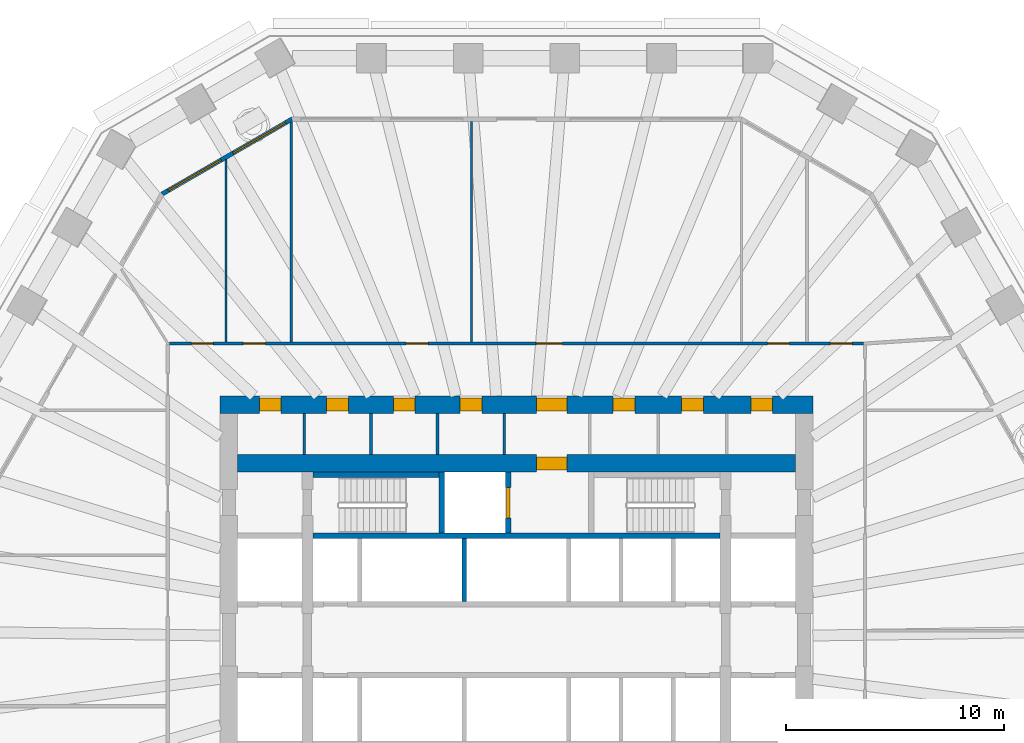
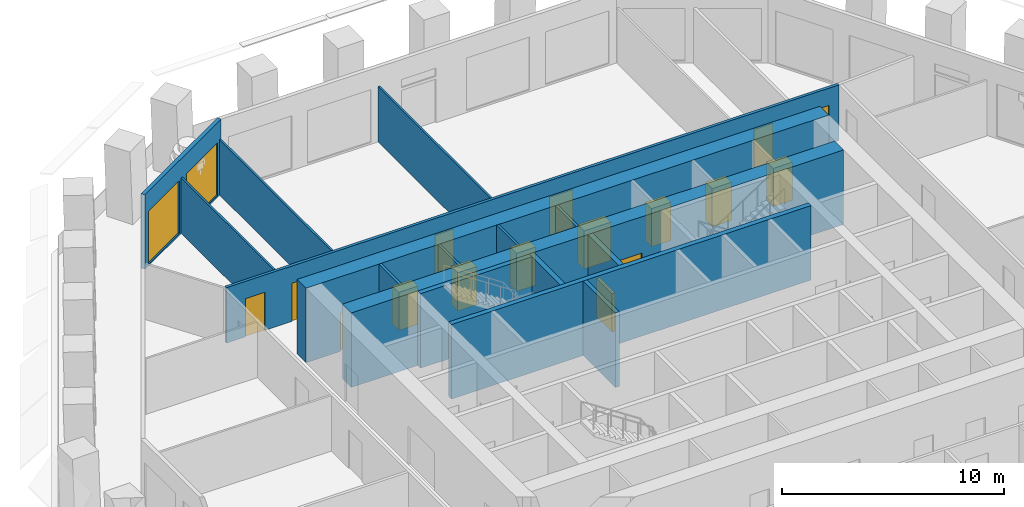
# One storey, part 7 of 13: 16 doors, 16 walls, 2 windows, 18 openings.
"""IFC4 building model written with IfcOpenShell, lengths in metres."""

from ifc_helpers import new_model, si_unit, direction, frame, frame_2d, origin, place, context, subcontext, project, spatial, polyline, rectangle, outline, extrude, material, layer, layer_set, type_object, element, fill, save


model = new_model("IFC4")

# Units and contexts
model_context = context("Model", 3, precision=1e-05, world=origin(), true_north=direction((0.0, 1.0)))
body_context = subcontext(model_context, "Body", "Model", "MODEL_VIEW")
ifc_project = project(units=[si_unit("LENGTHUNIT", "METRE"), si_unit("AREAUNIT", "SQUARE_METRE"), si_unit("VOLUMEUNIT", "CUBIC_METRE"), si_unit("PLANEANGLEUNIT", "RADIAN"), si_unit("MASSUNIT", "GRAM", prefix="KILO")], contexts=[model_context])

# Site, building, storey
site_placement = place(None, origin())
site = spatial("IfcSite", under=ifc_project, at=site_placement, CompositionType="ELEMENT")
building_placement = place(site_placement, origin())
building = spatial("IfcBuilding", under=site, at=building_placement, Name="Frailejon Research Tower", CompositionType="ELEMENT")
storey_placement = place(building_placement, frame((0.0, 0.0, 94.0)))
storey = spatial("IfcBuildingStorey", under=building, at=storey_placement, Name="L20", CompositionType="ELEMENT", Elevation=94.0)

# Walls
ifc_material_1 = material(Name="Plasterboard on steel studs", Category="steel")
ifc_layer_1 = layer(ifc_material_1, 0.125)
ifc_layer_set_1 = layer_set([ifc_layer_1], Name="Core partition 125")
wall_type_1 = type_object("IfcWallType", Name="Core partition 125", PredefinedType="PARTITIONING", material=ifc_layer_set_1)
for number, where, z_axis, x_axis, name in (
    (1, (-9.740478515625, 8.5, 0.0), (0.0, 0.0, 1.0), (0.0, 1.0, 0.0), "Core partition"),
    (2, (-6.68115234375, 8.5, 0.0), (0.0, 0.0, 1.0), (0.0, 1.0, 0.0), "Core partition"),
    (3, (-3.621826171875, 8.5, 0.0), (0.0, 0.0, 1.0), (0.0, 1.0, 0.0), "Core partition"),
    (4, (-0.5625, 8.5, 0.0), (0.0, 0.0, 1.0), (0.0, 1.0, 0.0), "Core partition"),
):
    element("IfcWall", number, at=place(storey_placement, frame(where, z_axis=z_axis, x_axis=x_axis)), inside=storey, type_object=wall_type_1, Name=name, PredefinedType="PARTITIONING", context=body_context, shape_type="SweptSolid", body=[
        extrude(rectangle(XDim=1.89990234375, YDim=0.125, at=frame_2d((0.949951171875, 0.0))), origin(), (0.0, 0.0, 1.0), 4.10009765625),
    ])

# Wall, openings, doors
ifc_material_2 = material(Name="Concrete C70/85", Category="concrete")
ifc_layer_2 = layer(ifc_material_2, 0.800048828125)
ifc_layer_set_2 = layer_set([ifc_layer_2], Name="Core shear wall 800 C70/85")
wall_type_2 = type_object("IfcWallType", Name="Core shear wall 800 C70/85", PredefinedType="SHEAR", material=ifc_layer_set_2)
wall_1_placement = place(storey_placement, frame((-13.60009765625, 10.800048828125, 0.0), z_axis=(0.0, 0.0, 1.0), x_axis=(1.0, 0.0, 0.0)))
wall_1 = element("IfcWall", 5, at=wall_1_placement, inside=storey, type_object=wall_type_2, Name="Core shear wall", PredefinedType="SHEAR", context=body_context, shape_type="SweptSolid", body=[
    extrude(rectangle(XDim=27.2001953125, YDim=0.800048828125, at=frame_2d((13.60009765625, 0.0))), origin(), (0.0, 0.0, 1.0), 4.10009765625),
])
opening_1_placement = place(wall_1_placement, frame((1.79833984375, 0.0, 0.0)))
opening_1 = element("IfcOpeningElement", 6, at=opening_1_placement, cuts=wall_1, Name="Opening D4", PredefinedType="OPENING", context=body_context, shape_type="SweptSolid", body=[
    extrude(rectangle(XDim=1.0, YDim=2.10009765625, at=frame_2d((0.5, 1.050048828125))), frame((0.0, 0.409912109375, 0.0), z_axis=(0.0, -1.0, 0.0), x_axis=(1.0, 0.0, 0.0)), (0.0, 0.0, 1.0), 0.820068359375),
])
opening_2_placement = place(wall_1_placement, frame((4.88916015625, 0.0, 0.0)))
opening_2 = element("IfcOpeningElement", 7, at=opening_2_placement, cuts=wall_1, Name="Opening D4", PredefinedType="OPENING", context=body_context, shape_type="SweptSolid", body=[
    extrude(rectangle(XDim=1.0, YDim=2.10009765625, at=frame_2d((0.5, 1.050048828125))), frame((0.0, 0.409912109375, 0.0), z_axis=(0.0, -1.0, 0.0), x_axis=(1.0, 0.0, 0.0)), (0.0, 0.0, 1.0), 0.820068359375),
])
opening_3_placement = place(wall_1_placement, frame((7.948486328125, 0.0, 0.0)))
opening_3 = element("IfcOpeningElement", 8, at=opening_3_placement, cuts=wall_1, Name="Opening D4", PredefinedType="OPENING", context=body_context, shape_type="SweptSolid", body=[
    extrude(rectangle(XDim=1.0, YDim=2.10009765625, at=frame_2d((0.5, 1.050048828125))), frame((0.0, 0.409912109375, 0.0), z_axis=(0.0, -1.0, 0.0), x_axis=(1.0, 0.0, 0.0)), (0.0, 0.0, 1.0), 0.820068359375),
])
opening_4_placement = place(wall_1_placement, frame((11.0078125, 0.0, 0.0)))
opening_4 = element("IfcOpeningElement", 9, at=opening_4_placement, cuts=wall_1, Name="Opening D4", PredefinedType="OPENING", context=body_context, shape_type="SweptSolid", body=[
    extrude(rectangle(XDim=1.0, YDim=2.10009765625, at=frame_2d((0.5, 1.050048828125))), frame((0.0, 0.409912109375, 0.0), z_axis=(0.0, -1.0, 0.0), x_axis=(1.0, 0.0, 0.0)), (0.0, 0.0, 1.0), 0.820068359375),
])
opening_5_placement = place(wall_1_placement, frame((18.035400390625, 0.0, 0.0)))
opening_5 = element("IfcOpeningElement", 10, at=opening_5_placement, cuts=wall_1, Name="Opening D4", PredefinedType="OPENING", context=body_context, shape_type="SweptSolid", body=[
    extrude(rectangle(XDim=1.0, YDim=2.10009765625, at=frame_2d((0.5, 1.050048828125))), frame((0.0, 0.409912109375, 0.0), z_axis=(0.0, -1.0, 0.0), x_axis=(1.0, 0.0, 0.0)), (0.0, 0.0, 1.0), 0.820068359375),
])
opening_6_placement = place(wall_1_placement, frame((21.18115234375, 0.0, 0.0)))
opening_6 = element("IfcOpeningElement", 11, at=opening_6_placement, cuts=wall_1, Name="Opening D4", PredefinedType="OPENING", context=body_context, shape_type="SweptSolid", body=[
    extrude(rectangle(XDim=1.0, YDim=2.10009765625, at=frame_2d((0.5, 1.050048828125))), frame((0.0, 0.409912109375, 0.0), z_axis=(0.0, -1.0, 0.0), x_axis=(1.0, 0.0, 0.0)), (0.0, 0.0, 1.0), 0.820068359375),
])
opening_7_placement = place(wall_1_placement, frame((24.3583984375, 0.0, 0.0)))
opening_7 = element("IfcOpeningElement", 12, at=opening_7_placement, cuts=wall_1, Name="Opening D4", PredefinedType="OPENING", context=body_context, shape_type="SweptSolid", body=[
    extrude(rectangle(XDim=1.0, YDim=2.10009765625, at=frame_2d((0.5, 1.050048828125))), frame((0.0, 0.409912109375, 0.0), z_axis=(0.0, -1.0, 0.0), x_axis=(1.0, 0.0, 0.0)), (0.0, 0.0, 1.0), 0.820068359375),
])
opening_8_placement = place(wall_1_placement, frame((14.52490234375, 0.0, 0.0)))
opening_8 = element("IfcOpeningElement", 13, at=opening_8_placement, cuts=wall_1, Name="Opening D9", PredefinedType="OPENING", context=body_context, shape_type="SweptSolid", body=[
    extrude(rectangle(XDim=1.39990234375, YDim=2.10009765625, at=frame_2d((0.699951171875, 1.050048828125))), frame((0.0, 0.409912109375, 0.0), z_axis=(0.0, -1.0, 0.0), x_axis=(1.0, 0.0, 0.0)), (0.0, 0.0, 1.0), 0.820068359375),
])
ifc_material_3 = material(Name="Steel", Category="steel")
door_type_1 = type_object("IfcDoorType", Name="Goods lobby door", OperationType="DOUBLE_DOOR_SINGLE_SWING", PredefinedType="DOOR", material=ifc_material_3)
door_1_placement = place(opening_8_placement, origin())
door_1 = element("IfcDoor", 14, at=door_1_placement, inside=storey, type_object=door_type_1, Name="Passage door", OperationType="DOUBLE_DOOR_SINGLE_SWING", OverallHeight=2.10009765625, OverallWidth=1.39990234375, PredefinedType="DOOR", context=body_context, shape_type="SweptSolid", body=[
    extrude(rectangle(XDim=1.39990234375, YDim=2.10009765625, at=frame_2d((0.699951171875, 1.050048828125))), frame((0.0, 0.300048828125, 0.0), z_axis=(0.0, -1.0, 0.0), x_axis=(1.0, 0.0, 0.0)), (0.0, 0.0, 1.0), 0.60009765625),
])
fill(opening_8, door_1)
ifc_material_4 = material(Name="Steel", Category="steel")
door_type_2 = type_object("IfcDoorType", Name="Service door", OperationType="SINGLE_SWING_LEFT", PredefinedType="DOOR", material=ifc_material_4)
door_2_placement = place(opening_1_placement, origin())
door_2 = element("IfcDoor", 15, at=door_2_placement, inside=storey, type_object=door_type_2, Name="Room door", OperationType="SINGLE_SWING_LEFT", OverallHeight=2.10009765625, OverallWidth=1.0, PredefinedType="DOOR", context=body_context, shape_type="SweptSolid", body=[
    extrude(rectangle(XDim=1.0, YDim=2.10009765625, at=frame_2d((0.5, 1.050048828125))), frame((0.0, 0.300048828125, 0.0), z_axis=(0.0, -1.0, 0.0), x_axis=(1.0, 0.0, 0.0)), (0.0, 0.0, 1.0), 0.60009765625),
])
fill(opening_1, door_2)
door_3_placement = place(opening_2_placement, origin())
door_3 = element("IfcDoor", 16, at=door_3_placement, inside=storey, type_object=door_type_2, Name="Room door", OperationType="SINGLE_SWING_RIGHT", OverallHeight=2.10009765625, OverallWidth=1.0, PredefinedType="DOOR", context=body_context, shape_type="SweptSolid", body=[
    extrude(rectangle(XDim=1.0, YDim=2.10009765625, at=frame_2d((0.5, 1.050048828125))), frame((0.0, 0.300048828125, 0.0), z_axis=(0.0, -1.0, 0.0), x_axis=(1.0, 0.0, 0.0)), (0.0, 0.0, 1.0), 0.60009765625),
])
fill(opening_2, door_3)
door_4_placement = place(opening_3_placement, origin())
door_4 = element("IfcDoor", 17, at=door_4_placement, inside=storey, type_object=door_type_2, Name="Room door", OperationType="SINGLE_SWING_LEFT", OverallHeight=2.10009765625, OverallWidth=1.0, PredefinedType="DOOR", context=body_context, shape_type="SweptSolid", body=[
    extrude(rectangle(XDim=1.0, YDim=2.10009765625, at=frame_2d((0.5, 1.050048828125))), frame((0.0, 0.300048828125, 0.0), z_axis=(0.0, -1.0, 0.0), x_axis=(1.0, 0.0, 0.0)), (0.0, 0.0, 1.0), 0.60009765625),
])
fill(opening_3, door_4)
door_5_placement = place(opening_4_placement, origin())
door_5 = element("IfcDoor", 18, at=door_5_placement, inside=storey, type_object=door_type_2, Name="Room door", OperationType="SINGLE_SWING_RIGHT", OverallHeight=2.10009765625, OverallWidth=1.0, PredefinedType="DOOR", context=body_context, shape_type="SweptSolid", body=[
    extrude(rectangle(XDim=1.0, YDim=2.10009765625, at=frame_2d((0.5, 1.050048828125))), frame((0.0, 0.300048828125, 0.0), z_axis=(0.0, -1.0, 0.0), x_axis=(1.0, 0.0, 0.0)), (0.0, 0.0, 1.0), 0.60009765625),
])
fill(opening_4, door_5)
door_6_placement = place(opening_5_placement, origin())
door_6 = element("IfcDoor", 19, at=door_6_placement, inside=storey, type_object=door_type_2, Name="Room door", OperationType="SINGLE_SWING_LEFT", OverallHeight=2.10009765625, OverallWidth=1.0, PredefinedType="DOOR", context=body_context, shape_type="SweptSolid", body=[
    extrude(rectangle(XDim=1.0, YDim=2.10009765625, at=frame_2d((0.5, 1.050048828125))), frame((0.0, 0.300048828125, 0.0), z_axis=(0.0, -1.0, 0.0), x_axis=(1.0, 0.0, 0.0)), (0.0, 0.0, 1.0), 0.60009765625),
])
fill(opening_5, door_6)
door_7_placement = place(opening_6_placement, origin())
door_7 = element("IfcDoor", 20, at=door_7_placement, inside=storey, type_object=door_type_2, Name="Room door", OperationType="SINGLE_SWING_RIGHT", OverallHeight=2.10009765625, OverallWidth=1.0, PredefinedType="DOOR", context=body_context, shape_type="SweptSolid", body=[
    extrude(rectangle(XDim=1.0, YDim=2.10009765625, at=frame_2d((0.5, 1.050048828125))), frame((0.0, 0.300048828125, 0.0), z_axis=(0.0, -1.0, 0.0), x_axis=(1.0, 0.0, 0.0)), (0.0, 0.0, 1.0), 0.60009765625),
])
fill(opening_6, door_7)
door_8_placement = place(opening_7_placement, origin())
door_8 = element("IfcDoor", 21, at=door_8_placement, inside=storey, type_object=door_type_2, Name="Room door", OperationType="SINGLE_SWING_LEFT", OverallHeight=2.10009765625, OverallWidth=1.0, PredefinedType="DOOR", context=body_context, shape_type="SweptSolid", body=[
    extrude(rectangle(XDim=1.0, YDim=2.10009765625, at=frame_2d((0.5, 1.050048828125))), frame((0.0, 0.300048828125, 0.0), z_axis=(0.0, -1.0, 0.0), x_axis=(1.0, 0.0, 0.0)), (0.0, 0.0, 1.0), 0.60009765625),
])
fill(opening_7, door_8)

# Wall, opening, door
wall_2_placement = place(storey_placement, frame((-12.800048828125, 8.10009765625, 0.0), z_axis=(0.0, 0.0, 1.0), x_axis=(1.0, 0.0, 0.0)))
wall_2 = element("IfcWall", 22, at=wall_2_placement, inside=storey, type_object=wall_type_2, Name="Core shear wall", PredefinedType="SHEAR", context=body_context, shape_type="SweptSolid", body=[
    extrude(rectangle(XDim=25.60009765625, YDim=0.800048828125, at=frame_2d((12.800048828125, 0.0))), origin(), (0.0, 0.0, 1.0), 4.10009765625),
])
opening_9_placement = place(wall_2_placement, frame((13.72509765625, 0.0, 0.0)))
opening_9 = element("IfcOpeningElement", 23, at=opening_9_placement, cuts=wall_2, Name="Opening D9", PredefinedType="OPENING", context=body_context, shape_type="SweptSolid", body=[
    extrude(rectangle(XDim=1.39990234375, YDim=2.10009765625, at=frame_2d((0.699951171875, 1.050048828125))), frame((0.0, 0.409912109375, 0.0), z_axis=(0.0, -1.0, 0.0), x_axis=(1.0, 0.0, 0.0)), (0.0, 0.0, 1.0), 0.820068359375),
])
door_9_placement = place(opening_9_placement, origin())
door_9 = element("IfcDoor", 24, at=door_9_placement, inside=storey, type_object=door_type_1, Name="Goods lobby door", OperationType="DOUBLE_DOOR_SINGLE_SWING", OverallHeight=2.10009765625, OverallWidth=1.39990234375, PredefinedType="DOOR", context=body_context, shape_type="SweptSolid", body=[
    extrude(rectangle(XDim=1.39990234375, YDim=2.10009765625, at=frame_2d((0.699951171875, 1.050048828125))), frame((0.0, 0.300048828125, 0.0), z_axis=(0.0, -1.0, 0.0), x_axis=(1.0, 0.0, 0.0)), (0.0, 0.0, 1.0), 0.60009765625),
])
fill(opening_9, door_9)

# Wall, openings, doors
ifc_material_5 = material(Name="Gypsum board and masonry partition", Category="masonry")
ifc_layer_3 = layer(ifc_material_5, 0.14990234375)
ifc_layer_set_3 = layer_set([ifc_layer_3], Name="Corridor wall EI 60, gypsum on steel studs 150")
wall_type_3 = type_object("IfcWallType", Name="Corridor wall EI 60, gypsum on steel studs 150", PredefinedType="PARTITIONING", material=ifc_layer_set_3)
wall_3_placement = place(storey_placement, frame((-15.925048828125, 13.60009765625, 0.0), z_axis=(0.0, 0.0, 1.0), x_axis=(1.0, 0.0, 0.0)))
wall_3 = element("IfcWall", 25, at=wall_3_placement, inside=storey, type_object=wall_type_3, Name="T:IW:L20:002", PredefinedType="PARTITIONING", context=body_context, shape_type="SweptSolid", body=[
    extrude(rectangle(XDim=31.85009765625, YDim=0.14990234375, at=frame_2d((15.925048828125, 0.0))), origin(), (0.0, 0.0, 1.0), 3.050048828125),
])
opening_10_placement = place(wall_3_placement, frame((30.333984375, 0.0, 0.0)))
opening_10 = element("IfcOpeningElement", 26, at=opening_10_placement, cuts=wall_3, Name="Opening D1530", PredefinedType="OPENING", context=body_context, shape_type="SweptSolid", body=[
    extrude(rectangle(XDim=1.0, YDim=2.10009765625, at=frame_2d((0.5, 1.050048828125))), frame((0.0, 0.0849609375, 0.0), z_axis=(0.0, -1.0, 0.0), x_axis=(1.0, 0.0, 0.0)), (0.0, 0.0, 1.0), 0.169921875),
])
opening_11_placement = place(wall_3_placement, frame((27.455322265625, 0.0, 0.0)))
opening_11 = element("IfcOpeningElement", 27, at=opening_11_placement, cuts=wall_3, Name="Opening D1531", PredefinedType="OPENING", context=body_context, shape_type="SweptSolid", body=[
    extrude(rectangle(XDim=1.0, YDim=2.10009765625, at=frame_2d((0.5, 1.050048828125))), frame((0.0, 0.0849609375, 0.0), z_axis=(0.0, -1.0, 0.0), x_axis=(1.0, 0.0, 0.0)), (0.0, 0.0, 1.0), 0.169921875),
])
opening_12_placement = place(wall_3_placement, frame((16.83349609375, 0.0, 0.0)))
opening_12 = element("IfcOpeningElement", 28, at=opening_12_placement, cuts=wall_3, Name="Opening D1532", PredefinedType="OPENING", context=body_context, shape_type="SweptSolid", body=[
    extrude(rectangle(XDim=1.199951171875, YDim=2.10009765625, at=frame_2d((0.60009765625, 1.050048828125))), frame((0.0, 0.0849609375, 0.0), z_axis=(0.0, -1.0, 0.0), x_axis=(1.0, 0.0, 0.0)), (0.0, 0.0, 1.0), 0.169921875),
])
opening_13_placement = place(wall_3_placement, frame((10.86572265625, 0.0, 0.0)))
opening_13 = element("IfcOpeningElement", 29, at=opening_13_placement, cuts=wall_3, Name="Opening D1533", PredefinedType="OPENING", context=body_context, shape_type="SweptSolid", body=[
    extrude(rectangle(XDim=1.0, YDim=2.10009765625, at=frame_2d((0.5, 1.050048828125))), frame((0.0, 0.0849609375, 0.0), z_axis=(0.0, -1.0, 0.0), x_axis=(1.0, 0.0, 0.0)), (0.0, 0.0, 1.0), 0.169921875),
])
opening_14_placement = place(wall_3_placement, frame((3.39453125, 0.0, 0.0)))
opening_14 = element("IfcOpeningElement", 30, at=opening_14_placement, cuts=wall_3, Name="Opening D1534", PredefinedType="OPENING", context=body_context, shape_type="SweptSolid", body=[
    extrude(rectangle(XDim=1.0, YDim=2.10009765625, at=frame_2d((0.5, 1.050048828125))), frame((0.0, 0.0849609375, 0.0), z_axis=(0.0, -1.0, 0.0), x_axis=(1.0, 0.0, 0.0)), (0.0, 0.0, 1.0), 0.169921875),
])
opening_15_placement = place(wall_3_placement, frame((0.998291015625, 0.0, 0.0)))
opening_15 = element("IfcOpeningElement", 31, at=opening_15_placement, cuts=wall_3, Name="Opening D1535", PredefinedType="OPENING", context=body_context, shape_type="SweptSolid", body=[
    extrude(rectangle(XDim=1.0, YDim=2.10009765625, at=frame_2d((0.5, 1.050048828125))), frame((0.0, 0.0849609375, 0.0), z_axis=(0.0, -1.0, 0.0), x_axis=(1.0, 0.0, 0.0)), (0.0, 0.0, 1.0), 0.169921875),
])
ifc_material_6 = material(Name="Timber door leaf", Category="wood")
door_type_3 = type_object("IfcDoorType", Name="Door laboratory, timber, vision panel 1000", OperationType="NOTDEFINED", PredefinedType="DOOR", material=ifc_material_6)
door_10_placement = place(opening_10_placement, origin())
door_10 = element("IfcDoor", 32, at=door_10_placement, inside=storey, type_object=door_type_3, Name="D1530", OperationType="SINGLE_SWING_LEFT", OverallHeight=2.10009765625, OverallWidth=1.0, PredefinedType="DOOR", context=body_context, shape_type="SweptSolid", body=[
    extrude(rectangle(XDim=1.0, YDim=2.10009765625, at=frame_2d((0.5, 1.050048828125))), frame((0.0, 0.02490234375, 0.0), z_axis=(0.0, -1.0, 0.0), x_axis=(1.0, 0.0, 0.0)), (0.0, 0.0, 1.0), 0.050048828125),
])
fill(opening_10, door_10)
ifc_material_7 = material(Name="Timber door leaf", Category="wood")
door_type_4 = type_object("IfcDoorType", Name="Door single leaf, timber, steel frame 1000", OperationType="NOTDEFINED", PredefinedType="DOOR", material=ifc_material_7)
door_11_placement = place(opening_11_placement, origin())
door_11 = element("IfcDoor", 33, at=door_11_placement, inside=storey, type_object=door_type_4, Name="D1531", OperationType="SINGLE_SWING_RIGHT", OverallHeight=2.10009765625, OverallWidth=1.0, PredefinedType="DOOR", context=body_context, shape_type="SweptSolid", body=[
    extrude(rectangle(XDim=1.0, YDim=2.10009765625, at=frame_2d((0.5, 1.050048828125))), frame((0.0, 0.02490234375, 0.0), z_axis=(0.0, -1.0, 0.0), x_axis=(1.0, 0.0, 0.0)), (0.0, 0.0, 1.0), 0.050048828125),
])
fill(opening_11, door_11)
door_12_placement = place(opening_13_placement, origin())
door_12 = element("IfcDoor", 34, at=door_12_placement, inside=storey, type_object=door_type_4, Name="D1533", OperationType="SINGLE_SWING_RIGHT", OverallHeight=2.10009765625, OverallWidth=1.0, PredefinedType="DOOR", context=body_context, shape_type="SweptSolid", body=[
    extrude(rectangle(XDim=1.0, YDim=2.10009765625, at=frame_2d((0.5, 1.050048828125))), frame((0.0, 0.02490234375, 0.0), z_axis=(0.0, -1.0, 0.0), x_axis=(1.0, 0.0, 0.0)), (0.0, 0.0, 1.0), 0.050048828125),
])
fill(opening_13, door_12)
door_13_placement = place(opening_14_placement, origin())
door_13 = element("IfcDoor", 35, at=door_13_placement, inside=storey, type_object=door_type_4, Name="D1534", OperationType="SINGLE_SWING_LEFT", OverallHeight=2.10009765625, OverallWidth=1.0, PredefinedType="DOOR", context=body_context, shape_type="SweptSolid", body=[
    extrude(rectangle(XDim=1.0, YDim=2.10009765625, at=frame_2d((0.5, 1.050048828125))), frame((0.0, 0.02490234375, 0.0), z_axis=(0.0, -1.0, 0.0), x_axis=(1.0, 0.0, 0.0)), (0.0, 0.0, 1.0), 0.050048828125),
])
fill(opening_14, door_13)
door_14_placement = place(opening_15_placement, origin())
door_14 = element("IfcDoor", 36, at=door_14_placement, inside=storey, type_object=door_type_4, Name="D1535", OperationType="SINGLE_SWING_LEFT", OverallHeight=2.10009765625, OverallWidth=1.0, PredefinedType="DOOR", context=body_context, shape_type="SweptSolid", body=[
    extrude(rectangle(XDim=1.0, YDim=2.10009765625, at=frame_2d((0.5, 1.050048828125))), frame((0.0, 0.02490234375, 0.0), z_axis=(0.0, -1.0, 0.0), x_axis=(1.0, 0.0, 0.0)), (0.0, 0.0, 1.0), 0.050048828125),
])
fill(opening_15, door_14)
ifc_material_8 = material(Name="Timber door leaf", Category="wood")
door_type_5 = type_object("IfcDoorType", Name="Door single leaf, timber, steel frame 1200", OperationType="NOTDEFINED", PredefinedType="DOOR", material=ifc_material_8)
door_15_placement = place(opening_12_placement, origin())
door_15 = element("IfcDoor", 37, at=door_15_placement, inside=storey, type_object=door_type_5, Name="D1532", OperationType="DOUBLE_DOOR_SINGLE_SWING", OverallHeight=2.10009765625, OverallWidth=1.199951171875, PredefinedType="DOOR", context=body_context, shape_type="SweptSolid", body=[
    extrude(rectangle(XDim=1.199951171875, YDim=2.10009765625, at=frame_2d((0.60009765625, 1.050048828125))), frame((0.0, 0.02490234375, 0.0), z_axis=(0.0, -1.0, 0.0), x_axis=(1.0, 0.0, 0.0)), (0.0, 0.0, 1.0), 0.050048828125),
])
fill(opening_12, door_15)

# Walls
ifc_material_9 = material(Name="Gypsum board and masonry partition", Category="masonry")
ifc_layer_4 = layer(ifc_material_9, 0.10009765625)
ifc_layer_set_4 = layer_set([ifc_layer_4], Name="Partition, gypsum on steel studs 100")
wall_type_4 = type_object("IfcWallType", Name="Partition, gypsum on steel studs 100", PredefinedType="PARTITIONING", material=ifc_layer_set_4)
wall_4_placement = place(storey_placement, frame((-2.067138671875, 13.675048828125, 0.0), z_axis=(0.0, 0.0, 1.0), x_axis=(0.0, 1.0, 0.0)))
element("IfcWall", 38, at=wall_4_placement, inside=storey, type_object=wall_type_4, Name="T:IW:L20:015", PredefinedType="PARTITIONING", context=body_context, shape_type="SweptSolid", body=[
    extrude(rectangle(XDim=10.125, YDim=0.10009765625, at=frame_2d((5.0625, 0.0))), origin(), (0.0, 0.0, 1.0), 3.050048828125),
])
wall_5_placement = place(storey_placement, frame((-10.33544921875, 13.675048828125, 0.0), z_axis=(0.0, 0.0, 1.0), x_axis=(0.0, 1.0, 0.0)))
element("IfcWall", 39, at=wall_5_placement, inside=storey, type_object=wall_type_4, Name="T:IW:L20:016", PredefinedType="PARTITIONING", context=body_context, shape_type="SweptSolid", body=[
    extrude(rectangle(XDim=10.093994140625, YDim=0.10009765625, at=frame_2d((5.046875, 0.0))), origin(), (0.0, 0.0, 1.0), 3.050048828125),
])
wall_6_placement = place(storey_placement, frame((-13.33544921875, 13.675048828125, 0.0), z_axis=(0.0, 0.0, 1.0), x_axis=(0.0, 1.0, 0.0)))
element("IfcWall", 40, at=wall_6_placement, inside=storey, type_object=wall_type_4, Name="T:IW:L20:017", PredefinedType="PARTITIONING", context=body_context, shape_type="SweptSolid", body=[
    extrude(rectangle(XDim=8.362060546875, YDim=0.10009765625, at=frame_2d((4.18115234375, 0.0))), origin(), (0.0, 0.0, 1.0), 3.050048828125),
])
ifc_material_10 = material(Name="Concrete C70/85", Category="concrete")
ifc_layer_5 = layer(ifc_material_10, 0.199951171875)
ifc_layer_set_5 = layer_set([ifc_layer_5], Name="Shaft wall 200 C70/85")
wall_type_5 = type_object("IfcWallType", Name="Shaft wall 200 C70/85", PredefinedType="SOLIDWALL", material=ifc_layer_set_5)
wall_7_placement = place(storey_placement, frame((-2.39990234375, 1.75, 0.0), z_axis=(0.0, 0.0, 1.0), x_axis=(0.0, 1.0, 0.0)))
element("IfcWall", 41, at=wall_7_placement, inside=storey, type_object=wall_type_5, Name="Shaft wall", PredefinedType="SOLIDWALL", context=body_context, shape_type="SweptSolid", body=[
    extrude(rectangle(XDim=2.89990234375, YDim=0.199951171875, at=frame_2d((1.449951171875, 0.0))), origin(), (0.0, 0.0, 1.0), 4.10009765625),
])
ifc_material_11 = material(Name="Concrete C70/85", Category="concrete")
ifc_layer_6 = layer(ifc_material_11, 0.25)
ifc_layer_set_6 = layer_set([ifc_layer_6], Name="Shaft wall 250 C70/85")
wall_type_6 = type_object("IfcWallType", Name="Shaft wall 250 C70/85", PredefinedType="SOLIDWALL", material=ifc_layer_set_6)
wall_8_placement = place(storey_placement, frame((-9.35009765625, 4.77490234375, 0.0), z_axis=(0.0, 0.0, 1.0), x_axis=(1.0, 0.0, 0.0)))
element("IfcWall", 42, at=wall_8_placement, inside=storey, type_object=wall_type_6, Name="Shaft wall", PredefinedType="SOLIDWALL", context=body_context, shape_type="SweptSolid", body=[
    extrude(rectangle(XDim=18.7001953125, YDim=0.25, at=frame_2d((9.35009765625, 0.0))), origin(), (0.0, 0.0, 1.0), 4.10009765625),
])
wall_9_placement = place(storey_placement, frame((-9.35009765625, 7.574951171875, 0.0), z_axis=(0.0, 0.0, 1.0), x_axis=(1.0, 0.0, 0.0)))
element("IfcWall", 43, at=wall_9_placement, inside=storey, type_object=wall_type_6, Name="Shaft wall", PredefinedType="SOLIDWALL", context=body_context, shape_type="SweptSolid", body=[
    extrude(rectangle(XDim=5.800048828125, YDim=0.25, at=frame_2d((2.89990234375, 0.0))), origin(), (0.0, 0.0, 1.0), 4.10009765625),
])
wall_10_placement = place(storey_placement, frame((-3.425048828125, 4.89990234375, 0.0), z_axis=(0.0, 0.0, 1.0), x_axis=(0.0, 1.0, 0.0)))
element("IfcWall", 44, at=wall_10_placement, inside=storey, type_object=wall_type_6, Name="Shaft wall", PredefinedType="SOLIDWALL", context=body_context, shape_type="SweptSolid", body=[
    extrude(rectangle(XDim=2.800048828125, YDim=0.25, at=frame_2d((1.39990234375, 0.0))), origin(), (0.0, 0.0, 1.0), 4.10009765625),
])

# Wall, opening, door
wall_11_placement = place(storey_placement, frame((-0.375, 4.89990234375, 0.0), z_axis=(0.0, 0.0, 1.0), x_axis=(0.0, 1.0, 0.0)))
wall_11 = element("IfcWall", 45, at=wall_11_placement, inside=storey, type_object=wall_type_6, Name="Shaft wall", PredefinedType="SOLIDWALL", context=body_context, shape_type="SweptSolid", body=[
    extrude(rectangle(XDim=2.800048828125, YDim=0.25, at=frame_2d((1.39990234375, 0.0))), origin(), (0.0, 0.0, 1.0), 4.10009765625),
])
opening_16_placement = place(wall_11_placement, frame((0.699951171875, 0.0, 0.0)))
opening_16 = element("IfcOpeningElement", 46, at=opening_16_placement, cuts=wall_11, Name="Opening LD2", PredefinedType="OPENING", context=body_context, shape_type="SweptSolid", body=[
    extrude(rectangle(XDim=1.39990234375, YDim=2.10009765625, at=frame_2d((0.699951171875, 1.050048828125))), frame((0.0, 0.135009765625, 0.0), z_axis=(0.0, -1.0, 0.0), x_axis=(1.0, 0.0, 0.0)), (0.0, 0.0, 1.0), 0.27001953125),
])
ifc_material_12 = material(Name="Stainless steel", Category="steel")
door_type_6 = type_object("IfcDoorType", Name="Goods landing door", OperationType="DOUBLE_DOOR_SLIDING", PredefinedType="DOOR", material=ifc_material_12)
door_16_placement = place(opening_16_placement, origin())
door_16 = element("IfcDoor", 47, at=door_16_placement, inside=storey, type_object=door_type_6, Name="Lift landing door", OperationType="DOUBLE_DOOR_SLIDING", OverallHeight=2.10009765625, OverallWidth=1.39990234375, PredefinedType="DOOR", context=body_context, shape_type="SweptSolid", body=[
    extrude(rectangle(XDim=1.39990234375, YDim=2.10009765625, at=frame_2d((0.699951171875, 1.050048828125))), frame((0.0, 0.074951171875, 0.0), z_axis=(0.0, -1.0, 0.0), x_axis=(1.0, 0.0, 0.0)), (0.0, 0.0, 1.0), 0.14990234375),
])
fill(opening_16, door_16)

# Wall, openings, windows
ifc_material_13 = material(Name="Concrete C40/50 precast window wall panel", Category="concrete")
ifc_layer_7 = layer(ifc_material_13, 0.199951171875)
ifc_layer_set_7 = layer_set([ifc_layer_7], Name="Window wall 200")
wall_type_7 = type_object("IfcWallType", Name="Window wall 200", PredefinedType="SOLIDWALL", material=ifc_layer_set_7)
wall_12_placement = place(storey_placement, frame((-10.30859375, 23.89990234375, 0.0), z_axis=(0.0, 0.0, 1.0), x_axis=(-0.866029458321, -0.49999297727, 0.0)))
wall_12 = element("IfcWall", 48, at=wall_12_placement, inside=storey, type_object=wall_type_7, Name="Exterior wall L20", PredefinedType="SOLIDWALL", context=body_context, shape_type="SweptSolid", body=[
    extrude(outline(polyline([(-0.02685546875, -0.10009765625), (1.1279296875, -0.10009765625), (2.282470703125, -0.10009765625), (3.437255859375, -0.10009765625), (4.592041015625, -0.10009765625), (5.74658203125, -0.10009765625), (6.9013671875, -0.10009765625), (6.84765625, 0.10009765625), (5.7109375, 0.10009765625), (4.573974609375, 0.10009765625), (3.437255859375, 0.10009765625), (2.300537109375, 0.10009765625), (1.16357421875, 0.10009765625), (0.02685546875, 0.10009765625), (-0.02685546875, -0.10009765625)])), origin(), (0.0, 0.0, 1.0), 4.10009765625),
])
opening_17_placement = place(wall_12_placement, frame((0.318603515625, 0.0, 0.10009765625)))
opening_17 = element("IfcOpeningElement", 49, at=opening_17_placement, cuts=wall_12, Name="Opening W3", PredefinedType="OPENING", context=body_context, shape_type="SweptSolid", body=[
    extrude(rectangle(XDim=2.800048828125, YDim=2.89990234375, at=frame_2d((1.39990234375, 1.449951171875))), frame((0.0, 0.10986328125, 0.0), z_axis=(0.0, -1.0, 0.0), x_axis=(1.0, 0.0, 0.0)), (0.0, 0.0, 1.0), 0.219970703125),
])
opening_18_placement = place(wall_12_placement, frame((3.756103515625, 0.0, 0.10009765625)))
opening_18 = element("IfcOpeningElement", 50, at=opening_18_placement, cuts=wall_12, Name="Opening W3", PredefinedType="OPENING", context=body_context, shape_type="SweptSolid", body=[
    extrude(rectangle(XDim=2.800048828125, YDim=2.89990234375, at=frame_2d((1.39990234375, 1.449951171875))), frame((0.0, 0.10986328125, 0.0), z_axis=(0.0, -1.0, 0.0), x_axis=(1.0, 0.0, 0.0)), (0.0, 0.0, 1.0), 0.219970703125),
])
ifc_material_14 = material(Name="Aluminium framed double glazing", Category="aluminium")
window_type = type_object("IfcWindowType", Name="Window 2800x2900", PartitioningType="SINGLE_PANEL", PredefinedType="WINDOW", material=ifc_material_14)
window_1_placement = place(opening_17_placement, origin())
window_1 = element("IfcWindow", 51, at=window_1_placement, inside=storey, type_object=window_type, Name="Window L20", OverallHeight=2.89990234375, OverallWidth=2.800048828125, PartitioningType="SINGLE_PANEL", PredefinedType="WINDOW", context=body_context, shape_type="SweptSolid", body=[
    extrude(rectangle(XDim=2.800048828125, YDim=2.89990234375, at=frame_2d((1.39990234375, 1.449951171875))), frame((0.0, 0.030029296875, 0.0), z_axis=(0.0, -1.0, 0.0), x_axis=(1.0, 0.0, 0.0)), (0.0, 0.0, 1.0), 0.06005859375),
])
fill(opening_17, window_1)
window_2_placement = place(opening_18_placement, origin())
window_2 = element("IfcWindow", 52, at=window_2_placement, inside=storey, type_object=window_type, Name="Window L20", OverallHeight=2.89990234375, OverallWidth=2.800048828125, PartitioningType="SINGLE_PANEL", PredefinedType="WINDOW", context=body_context, shape_type="SweptSolid", body=[
    extrude(rectangle(XDim=2.800048828125, YDim=2.89990234375, at=frame_2d((1.39990234375, 1.449951171875))), frame((0.0, 0.030029296875, 0.0), z_axis=(0.0, -1.0, 0.0), x_axis=(1.0, 0.0, 0.0)), (0.0, 0.0, 1.0), 0.06005859375),
])
fill(opening_18, window_2)

save(model, "model.ifc")
